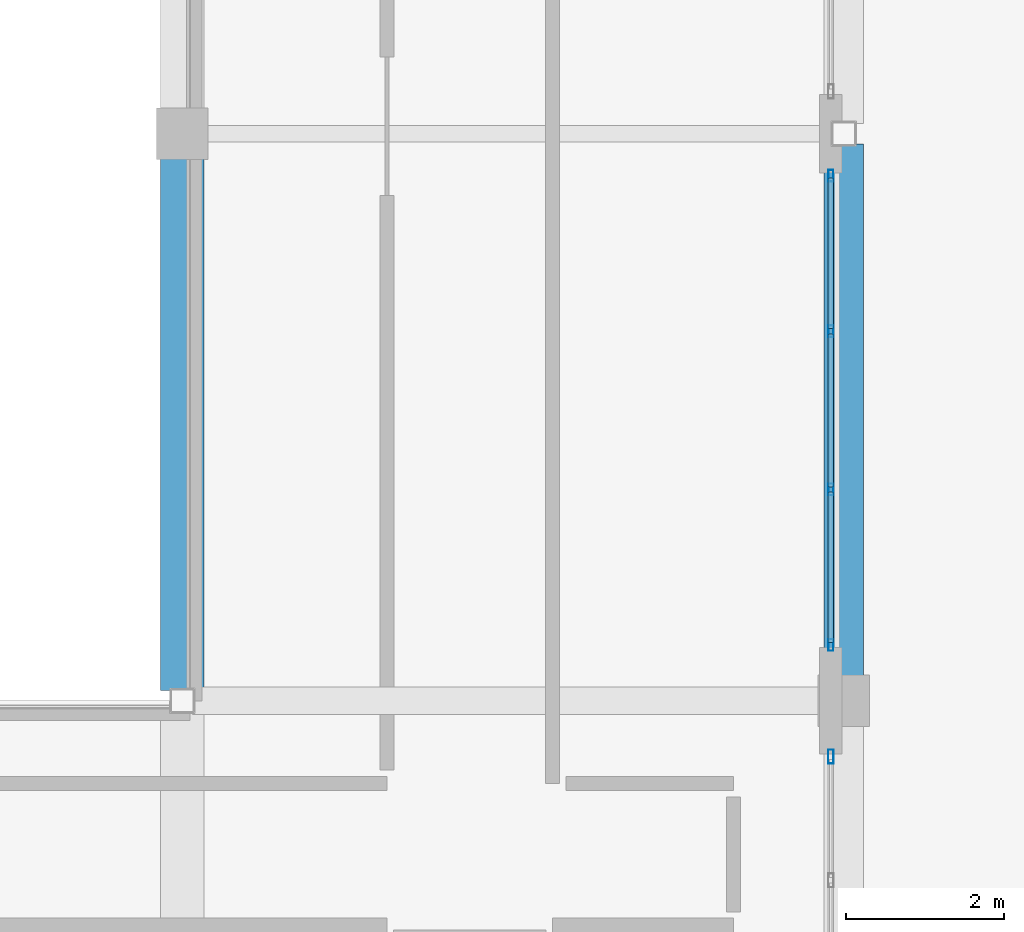
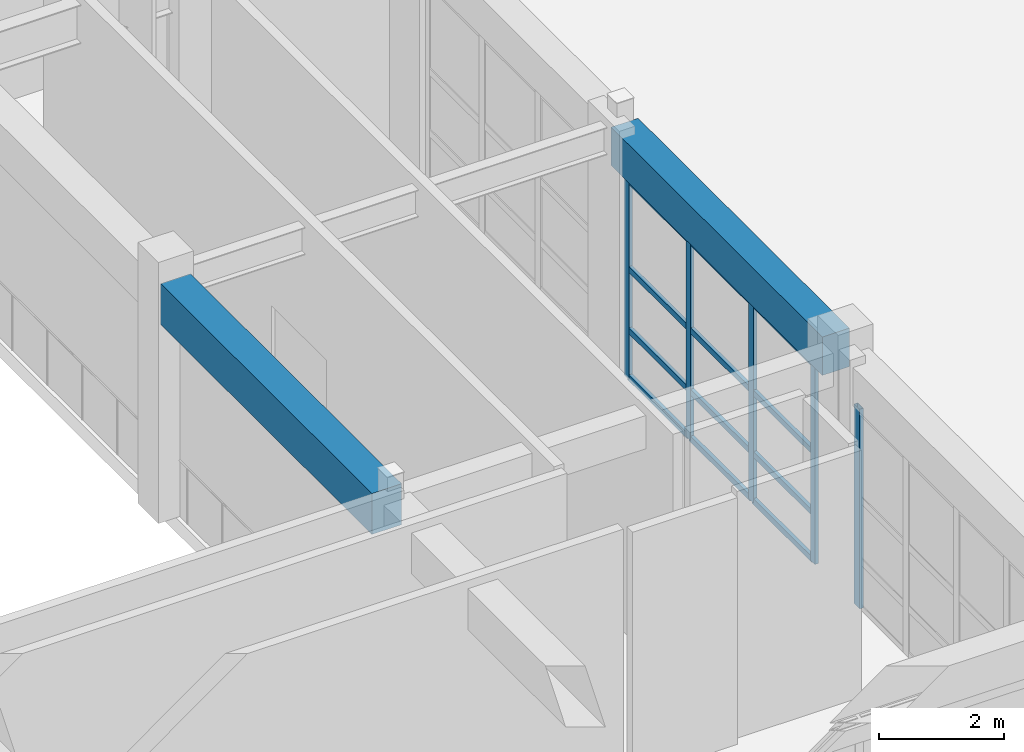
# One storey, part 40 of 78: 17 members, 2 beams, 2 elements without a shape of their own.
"""IFC4 building model written with IfcOpenShell, lengths in metres."""

import ifcopenshell
import ifcopenshell.guid

model = None  # the IFC model being written
_history = None  # IfcOwnerHistory: only IFC2X3 demands one
_inside = {}  # id of a spatial element -> (the spatial element, [elements in it])
_under = {}  # id of a project, library or spatial element -> (it, [spatial elements below it])
_declared = {}  # id of a project -> (the project, [libraries it declares])
_typed = {}  # id of a type object -> (the type object, [elements of that type])
_made_of = {}  # id of a material, layer set ... -> (it, [elements and type objects made of it])


def new_model(schema):
    """Start an empty IFC model of exactly this schema.

    Asked for "IFC4X3", IfcOpenShell would pick the latest addendum, in which some entities
    have other attributes; the version numbers below select the first issue.
    IFC2X3 requires an IfcOwnerHistory on every rooted entity: one is made here for all.
    """
    global model, _history
    if schema == "IFC4X3":
        model = ifcopenshell.file(schema_version=(4, 3, 0, 0))
    else:
        model = ifcopenshell.file(schema=schema)
    _inside.clear()
    _under.clear()
    _declared.clear()
    _typed.clear()
    _made_of.clear()
    _history = None
    if model.schema == "IFC2X3":
        org = make("IfcOrganization", Name="unknown")
        user = make(
            "IfcPersonAndOrganization",
            ThePerson=make("IfcPerson", FamilyName="unknown"),
            TheOrganization=org,
        )
        app = make(
            "IfcApplication",
            ApplicationDeveloper=org,
            Version="unknown",
            ApplicationFullName="unknown",
            ApplicationIdentifier="unknown",
        )
        _history = make(
            "IfcOwnerHistory",
            OwningUser=user,
            OwningApplication=app,
            ChangeAction="ADDED",
            CreationDate=0,
        )
    return model


def make(cls, **values):
    """One entity of the class cls with the attributes given. An attribute that is None is left unset."""
    return model.create_entity(
        cls, **{name: value for name, value in values.items() if value is not None}
    )


def rooted(cls, **values):
    """An entity with a GlobalId (a new one), such as an element, a storey or a relation."""
    return make(cls, GlobalId=ifcopenshell.guid.new(), OwnerHistory=_history, **values)


def si_unit(unit_type, name, prefix=None):
    """IfcSIUnit, for example si_unit("LENGTHUNIT", "METRE", prefix="MILLI")."""
    return make("IfcSIUnit", UnitType=unit_type, Prefix=prefix, Name=name)


def assignment(units):
    """IfcUnitAssignment: the units of a project."""
    return None if units is None else make("IfcUnitAssignment", Units=units)


def point(xyz):
    """IfcCartesianPoint."""
    return None if xyz is None else make("IfcCartesianPoint", Coordinates=xyz)


def direction(xyz):
    """IfcDirection."""
    return None if xyz is None else make("IfcDirection", DirectionRatios=xyz)


def frame(location, z_axis=None, x_axis=None):
    """IfcAxis2Placement3D, a coordinate frame: its origin and axes. An axis left out is left unset."""
    return make(
        "IfcAxis2Placement3D",
        Location=point(location),
        Axis=direction(z_axis),
        RefDirection=direction(x_axis),
    )


def frame_2d(location, x_axis=None):
    """IfcAxis2Placement2D, a coordinate frame in the plane: its origin and x axis."""
    return make(
        "IfcAxis2Placement2D", Location=point(location), RefDirection=direction(x_axis)
    )


def origin():
    """The frame at (0, 0, 0) with its axes left unset."""
    return frame((0.0, 0.0, 0.0))


def origin_2d():
    """The frame at (0, 0) in the plane with its x axis left unset."""
    return frame_2d((0.0, 0.0))


def place(relative_to, where):
    """IfcLocalPlacement: puts the frame where relative to a parent placement (None: the world)."""
    return make(
        "IfcLocalPlacement", PlacementRelTo=relative_to, RelativePlacement=where
    )


def context(
    kind, dimensions, precision=None, world=None, true_north=None, identifier=None
):
    """IfcGeometricRepresentationContext, for example the 3D "Model" context."""
    return make(
        "IfcGeometricRepresentationContext",
        ContextIdentifier=identifier,
        ContextType=kind,
        CoordinateSpaceDimension=dimensions,
        Precision=precision,
        WorldCoordinateSystem=world,
        TrueNorth=true_north,
    )


def subcontext(parent, identifier, kind, view, scale=None):
    """IfcGeometricRepresentationSubContext, for example "Body" below "Model"."""
    return make(
        "IfcGeometricRepresentationSubContext",
        ContextIdentifier=identifier,
        ContextType=kind,
        ParentContext=parent,
        TargetScale=scale,
        TargetView=view,
    )


def project(units=None, contexts=None):
    """IfcProject with its units and contexts."""
    return rooted(
        "IfcProject",
        Name="project",
        RepresentationContexts=contexts,
        UnitsInContext=assignment(units),
    )


def spatial(cls, under=None, at=None, **own):
    """A site, building, storey or space (cls), placed at a placement, below another one or the project."""
    s = rooted(cls, ObjectPlacement=at, **own)
    if under is not None:
        _under.setdefault(under.id(), (under, []))[1].append(s)
    return s


def profile(cls, at=None, kind="AREA", **sizes):
    """A parametric profile (cls). Its sizes go by their IFC names, for example OverallWidth=200.0."""
    return make(cls, ProfileType=kind, Position=at, **sizes)


def rectangle(**sizes):
    """IfcRectangleProfileDef."""
    return profile("IfcRectangleProfileDef", **sizes)


def hollow_rectangle(**sizes):
    """IfcRectangleHollowProfileDef."""
    return profile("IfcRectangleHollowProfileDef", **sizes)


def extrude(swept, where, along, depth):
    """IfcExtrudedAreaSolid: the profile swept, set in the frame where, extruded along a direction by depth."""
    return make(
        "IfcExtrudedAreaSolid",
        SweptArea=swept,
        Position=where,
        ExtrudedDirection=direction(along),
        Depth=depth,
    )


def shape(context_of_items, identifier, shape_type, items):
    """IfcShapeRepresentation: the items that make up one representation, for example the "Body"."""
    return make(
        "IfcShapeRepresentation",
        ContextOfItems=context_of_items,
        RepresentationIdentifier=identifier,
        RepresentationType=shape_type,
        Items=items,
    )


def material(Name=None, Category=None):
    """IfcMaterial."""
    return make("IfcMaterial", Name=Name, Category=Category)


def layer(
    of_material, thickness, ventilated=None, Name=None, Category=None, Priority=None
):
    """IfcMaterialLayer: one layer of a wall or slab, of a material (None: an air gap)."""
    return make(
        "IfcMaterialLayer",
        Material=of_material,
        LayerThickness=thickness,
        IsVentilated=ventilated,
        Name=Name,
        Category=Category,
        Priority=Priority,
    )


def layer_set(layers, Name=None):
    """IfcMaterialLayerSet."""
    return make("IfcMaterialLayerSet", MaterialLayers=layers, LayerSetName=Name)


def material_profile(
    of_material, cross_section, Name=None, Category=None, Priority=None
):
    """IfcMaterialProfile: a cross section and its material."""
    return make(
        "IfcMaterialProfile",
        Name=Name,
        Material=of_material,
        Profile=cross_section,
        Priority=Priority,
        Category=Category,
    )


def profile_set(profiles, Name=None, composite=None):
    """IfcMaterialProfileSet."""
    return make(
        "IfcMaterialProfileSet",
        Name=Name,
        MaterialProfiles=profiles,
        CompositeProfile=composite,
    )


def made_of(thing, what):
    """Note that an element or type object is made of a material, layer set ...; save() writes the relation."""
    if what is not None:
        _made_of.setdefault(what.id(), (what, []))[1].append(thing)
    return thing


def type_object(cls, material=None, **own):
    """A type object (cls), such as IfcWallType, which elements share."""
    return made_of(rooted(cls, **own), material)


def element(
    cls,
    number,
    at=None,
    inside=None,
    cuts=None,
    type_object=None,
    material=None,
    context=None,
    identifier="Body",
    shape_type=None,
    held_by="IfcProductDefinitionShape",
    body=None,
    shapes=None,
    **own,
):
    """One element of the class cls, such as IfcWall. Its Tag is "e" and its number.

    at: its placement. inside: the storey or other place that contains it. cuts: it is an
    opening in that element (IfcRelVoidsElement). A single representation is given by context,
    identifier, shape_type and body (its items); several are given by shapes. held_by: the class
    of the entity that holds the representations. save() writes the other relations.
    """
    e = rooted(cls, Tag="e%d" % number, ObjectPlacement=at, **own)
    if body is not None:
        shapes = [shape(context, identifier, shape_type, body)]
    if shapes is not None:
        e.Representation = make(held_by, Representations=shapes)
    if inside is not None:
        _inside.setdefault(inside.id(), (inside, []))[1].append(e)
    if cuts is not None:
        rooted(
            "IfcRelVoidsElement", RelatingBuildingElement=cuts, RelatedOpeningElement=e
        )
    if type_object is not None:
        _typed.setdefault(type_object.id(), (type_object, []))[1].append(e)
    return made_of(e, material)


def aggregate(whole, parts):
    """IfcRelAggregates: a whole, such as a stair, and the parts it consists of."""
    return rooted("IfcRelAggregates", RelatingObject=whole, RelatedObjects=parts)


def save(model, path):
    """Write the relations noted so far, then the file.

    IfcRelAggregates (storeys below a building ...), IfcRelContainedInSpatialStructure (elements
    in a storey), IfcRelDefinesByType, IfcRelAssociatesMaterial and IfcRelDeclares: one each for
    every whole, place, type object, material and project.
    """
    for whole, parts in _under.values():
        aggregate(whole, parts)
    for where, things in _inside.values():
        rooted(
            "IfcRelContainedInSpatialStructure",
            RelatedElements=things,
            RelatingStructure=where,
        )
    for kind, things in _typed.values():
        rooted("IfcRelDefinesByType", RelatedObjects=things, RelatingType=kind)
    for what, things in _made_of.values():
        rooted("IfcRelAssociatesMaterial", RelatedObjects=things, RelatingMaterial=what)
    for by, libraries in _declared.values():
        rooted("IfcRelDeclares", RelatingContext=by, RelatedDefinitions=libraries)
    model.write(path)


model = new_model("IFC4")

# Units and contexts
model_context = context("Model", 3, precision=1e-05, world=origin(), true_north=direction((0.0, 1.0)))
body_context = subcontext(model_context, "Body", "Model", "MODEL_VIEW")
ifc_project = project(units=[si_unit("LENGTHUNIT", "METRE"), si_unit("AREAUNIT", "SQUARE_METRE"), si_unit("VOLUMEUNIT", "CUBIC_METRE"), si_unit("PLANEANGLEUNIT", "RADIAN"), si_unit("MASSUNIT", "GRAM", prefix="KILO")], contexts=[model_context])

# Site, building, storey
site_placement = place(None, origin())
site = spatial("IfcSite", under=ifc_project, at=site_placement, CompositionType="ELEMENT")
building_placement = place(site_placement, origin())
building = spatial("IfcBuilding", under=site, at=building_placement, Name="Quendrovan Civic Courthouse", CompositionType="ELEMENT")
storey_placement = place(building_placement, frame((0.0, 0.0, 10.199951171875)))
storey = spatial("IfcBuildingStorey", under=building, at=storey_placement, Name="L03", CompositionType="ELEMENT", Elevation=10.199951171875)

# Beams
ifc_material_1 = material(Name="Concrete C40/50", Category="concrete")
ifc_material_profile_1 = material_profile(ifc_material_1, rectangle(XDim=0.5, YDim=0.75, at=origin_2d()), Name="RC-BM-500x750")
ifc_profile_set_1 = profile_set([ifc_material_profile_1], Name="Concrete C40/50")
beam_type_1 = type_object("IfcBeamType", Name="BM-RC750", PredefinedType="SPANDREL", material=ifc_profile_set_1)
beam_1_placement = place(storey_placement, frame((92.39990234375, 73.5048828125, 4.28515625), z_axis=(0.0, 1.0, 0.0), x_axis=(-1.0, 0.0, 0.0)))
element("IfcBeam", 1, at=beam_1_placement, inside=storey, type_object=beam_type_1, Name="L03 Girder Y0856", PredefinedType="SPANDREL", context=body_context, shape_type="SweptSolid", body=[
    extrude(rectangle(XDim=0.5, YDim=0.75, at=origin_2d()), origin(), (0.0, 0.0, 1.0), 6.76513671875),
])
ifc_material_profile_2 = material_profile(ifc_material_1, rectangle(XDim=0.550048828125, YDim=0.800048828125, at=origin_2d()), Name="RC-BM-550x800")
ifc_profile_set_2 = profile_set([ifc_material_profile_2], Name="Concrete C40/50")
beam_type_2 = type_object("IfcBeamType", Name="BM-RC800", PredefinedType="BEAM", material=ifc_profile_set_2)
beam_2_placement = place(storey_placement, frame((84.0, 73.330078125, 4.260009765625), z_axis=(0.0, 1.0, 0.0), x_axis=(-1.0, 0.0, 0.0)))
element("IfcBeam", 2, at=beam_2_placement, inside=storey, type_object=beam_type_2, Name="L03 Girder Y0851", PredefinedType="BEAM", context=body_context, shape_type="SweptSolid", body=[
    extrude(rectangle(XDim=0.550048828125, YDim=0.800048828125, at=origin_2d()), origin(), (0.0, 0.0, 1.0), 6.764892578125),
])

# Curtain wall, member
ifc_material_2 = material(Name="Bronze anodised aluminium and low-E glass", Category="aluminium")
ifc_layer_1 = layer(ifc_material_2, 0.179931640625, Name="Bronze anodised aluminium and low-E glass")
ifc_layer_set_1 = layer_set([ifc_layer_1], Name="Bronze anodised aluminium and low-E glass")
curtain_wall_type_1 = type_object("IfcCurtainWallType", Name="CW-U64x39", PredefinedType="USERDEFINED", material=ifc_layer_set_1)
curtain_wall_1_placement = place(storey_placement, origin())
curtain_wall_1 = element("IfcCurtainWall", 3, at=curtain_wall_1_placement, inside=storey, type_object=curtain_wall_type_1, Name="L03 Unitised Hurricane Curtain Wall CW-130", ObjectType="UNITISED CURTAIN WALL", PredefinedType="USERDEFINED")
ifc_material_3 = material(Name="Bronze anodised aluminium", Category="aluminium")
ifc_material_profile_3 = material_profile(ifc_material_3, hollow_rectangle(XDim=0.070068359375, YDim=0.179931640625, WallThickness=0.00390625, at=origin_2d()), Name="CW-MULL-70x180")
ifc_profile_set_3 = profile_set([ifc_material_profile_3], Name="Bronze anodised aluminium")
member_type_1 = type_object("IfcMemberType", Name="CW-MULL-A", PredefinedType="MULLION", material=ifc_profile_set_3)
member_1_placement = place(storey_placement, frame((92.235107421875, 72.489990234375, 0.0), z_axis=(0.0, 0.0, 1.0), x_axis=(1.0, 0.0, 0.0)))
member_1 = element("IfcMember", 4, at=member_1_placement, type_object=member_type_1, Name="CW-130 mullion 1", PredefinedType="MULLION", context=body_context, shape_type="SweptSolid", body=[
    extrude(hollow_rectangle(XDim=0.070068359375, YDim=0.179931640625, WallThickness=0.00390625, at=origin_2d()), origin(), (0.0, 0.0, 1.0), 3.900146484375),
])
aggregate(curtain_wall_1, [member_1])

# Curtain wall, members
ifc_layer_2 = layer(ifc_material_2, 0.179931640625, Name="Bronze anodised aluminium and low-E glass")
ifc_layer_set_2 = layer_set([ifc_layer_2], Name="Bronze anodised aluminium and low-E glass")
curtain_wall_type_2 = type_object("IfcCurtainWallType", Name="CW-U60x39", PredefinedType="USERDEFINED", material=ifc_layer_set_2)
curtain_wall_2_placement = place(storey_placement, origin())
curtain_wall_2 = element("IfcCurtainWall", 5, at=curtain_wall_2_placement, inside=storey, type_object=curtain_wall_type_2, Name="L03 Unitised Hurricane Curtain Wall CW-129", ObjectType="UNITISED CURTAIN WALL", PredefinedType="USERDEFINED")
ifc_material_profile_4 = material_profile(ifc_material_3, hollow_rectangle(XDim=0.06494140625, YDim=0.14990234375, WallThickness=0.00390625, at=origin_2d()), Name="CW-MULL-65x150")
ifc_profile_set_4 = profile_set([ifc_material_profile_4], Name="Bronze anodised aluminium")
member_type_2 = type_object("IfcMemberType", Name="CW-MULL-B", PredefinedType="MULLION", material=ifc_profile_set_4)
member_2_placement = place(storey_placement, frame((92.235107421875, 79.867431640625, 0.0), z_axis=(0.0, 0.0, 1.0), x_axis=(1.0, 0.0, 0.0)))
member_2 = element("IfcMember", 6, at=member_2_placement, type_object=member_type_2, Name="CW-129 mullion 1", PredefinedType="MULLION", context=body_context, shape_type="SweptSolid", body=[
    extrude(hollow_rectangle(XDim=0.06494140625, YDim=0.14990234375, WallThickness=0.00390625, at=origin_2d()), origin(), (0.0, 0.0, 1.0), 3.900146484375),
])
member_3_placement = place(storey_placement, frame((92.235107421875, 77.8916015625, 0.0), z_axis=(0.0, 0.0, 1.0), x_axis=(1.0, 0.0, 0.0)))
member_3 = element("IfcMember", 7, at=member_3_placement, type_object=member_type_2, Name="CW-129 mullion 2", PredefinedType="MULLION", context=body_context, shape_type="SweptSolid", body=[
    extrude(hollow_rectangle(XDim=0.06494140625, YDim=0.14990234375, WallThickness=0.00390625, at=origin_2d()), origin(), (0.0, 0.0, 1.0), 3.900146484375),
])
member_4_placement = place(storey_placement, frame((92.235107421875, 75.88330078125, 0.0), z_axis=(0.0, 0.0, 1.0), x_axis=(1.0, 0.0, 0.0)))
member_4 = element("IfcMember", 8, at=member_4_placement, type_object=member_type_2, Name="CW-129 mullion 3", PredefinedType="MULLION", context=body_context, shape_type="SweptSolid", body=[
    extrude(hollow_rectangle(XDim=0.06494140625, YDim=0.14990234375, WallThickness=0.00390625, at=origin_2d()), origin(), (0.0, 0.0, 1.0), 3.900146484375),
])
member_5_placement = place(storey_placement, frame((92.235107421875, 73.907470703125, 0.0), z_axis=(0.0, 0.0, 1.0), x_axis=(1.0, 0.0, 0.0)))
member_5 = element("IfcMember", 9, at=member_5_placement, type_object=member_type_2, Name="CW-129 mullion 4", PredefinedType="MULLION", context=body_context, shape_type="SweptSolid", body=[
    extrude(hollow_rectangle(XDim=0.06494140625, YDim=0.14990234375, WallThickness=0.00390625, at=origin_2d()), origin(), (0.0, 0.0, 1.0), 3.900146484375),
])
ifc_material_profile_5 = material_profile(ifc_material_3, hollow_rectangle(XDim=0.06494140625, YDim=0.114990234375, WallThickness=0.00390625, at=origin_2d()), Name="CW-TRAN-65x115")
ifc_profile_set_5 = profile_set([ifc_material_profile_5], Name="Bronze anodised aluminium")
member_type_3 = type_object("IfcMemberType", Name="CW-TRAN-B", PredefinedType="USERDEFINED", material=ifc_profile_set_5)
member_6_placement = place(storey_placement, frame((92.235107421875, 79.8349609375, 0.032470703125), z_axis=(0.0, -1.0, 0.0), x_axis=(1.0, 0.0, 0.0)))
member_6 = element("IfcMember", 10, at=member_6_placement, type_object=member_type_3, Name="CW-129 transom 1.1", ObjectType="TRANSOM", PredefinedType="USERDEFINED", context=body_context, shape_type="SweptSolid", body=[
    extrude(hollow_rectangle(XDim=0.06494140625, YDim=0.114990234375, WallThickness=0.00390625, at=origin_2d()), origin(), (0.0, 0.0, 1.0), 1.910888671875),
])
member_7_placement = place(storey_placement, frame((92.235107421875, 79.8349609375, 0.949951171875), z_axis=(0.0, -1.0, 0.0), x_axis=(1.0, 0.0, 0.0)))
member_7 = element("IfcMember", 11, at=member_7_placement, type_object=member_type_3, Name="CW-129 transom 1.2", ObjectType="TRANSOM", PredefinedType="USERDEFINED", context=body_context, shape_type="SweptSolid", body=[
    extrude(hollow_rectangle(XDim=0.06494140625, YDim=0.114990234375, WallThickness=0.00390625, at=origin_2d()), origin(), (0.0, 0.0, 1.0), 1.910888671875),
])
member_8_placement = place(storey_placement, frame((92.235107421875, 79.8349609375, 2.150146484375), z_axis=(0.0, -1.0, 0.0), x_axis=(1.0, 0.0, 0.0)))
member_8 = element("IfcMember", 12, at=member_8_placement, type_object=member_type_3, Name="CW-129 transom 1.3", ObjectType="TRANSOM", PredefinedType="USERDEFINED", context=body_context, shape_type="SweptSolid", body=[
    extrude(hollow_rectangle(XDim=0.06494140625, YDim=0.114990234375, WallThickness=0.00390625, at=origin_2d()), origin(), (0.0, 0.0, 1.0), 1.910888671875),
])
member_9_placement = place(storey_placement, frame((92.235107421875, 79.8349609375, 3.867431640625), z_axis=(0.0, -1.0, 0.0), x_axis=(1.0, 0.0, 0.0)))
member_9 = element("IfcMember", 13, at=member_9_placement, type_object=member_type_3, Name="CW-129 transom 1.4", ObjectType="TRANSOM", PredefinedType="USERDEFINED", context=body_context, shape_type="SweptSolid", body=[
    extrude(hollow_rectangle(XDim=0.06494140625, YDim=0.114990234375, WallThickness=0.00390625, at=origin_2d()), origin(), (0.0, 0.0, 1.0), 1.910888671875),
])
member_10_placement = place(storey_placement, frame((92.235107421875, 77.859130859375, 0.032470703125), z_axis=(0.0, -1.0, 0.0), x_axis=(1.0, 0.0, 0.0)))
member_10 = element("IfcMember", 14, at=member_10_placement, type_object=member_type_3, Name="CW-129 transom 2.1", ObjectType="TRANSOM", PredefinedType="USERDEFINED", context=body_context, shape_type="SweptSolid", body=[
    extrude(hollow_rectangle(XDim=0.06494140625, YDim=0.114990234375, WallThickness=0.00390625, at=origin_2d()), origin(), (0.0, 0.0, 1.0), 1.943359375),
])
member_11_placement = place(storey_placement, frame((92.235107421875, 77.859130859375, 0.949951171875), z_axis=(0.0, -1.0, 0.0), x_axis=(1.0, 0.0, 0.0)))
member_11 = element("IfcMember", 15, at=member_11_placement, type_object=member_type_3, Name="CW-129 transom 2.2", ObjectType="TRANSOM", PredefinedType="USERDEFINED", context=body_context, shape_type="SweptSolid", body=[
    extrude(hollow_rectangle(XDim=0.06494140625, YDim=0.114990234375, WallThickness=0.00390625, at=origin_2d()), origin(), (0.0, 0.0, 1.0), 1.943359375),
])
member_12_placement = place(storey_placement, frame((92.235107421875, 77.859130859375, 2.150146484375), z_axis=(0.0, -1.0, 0.0), x_axis=(1.0, 0.0, 0.0)))
member_12 = element("IfcMember", 16, at=member_12_placement, type_object=member_type_3, Name="CW-129 transom 2.3", ObjectType="TRANSOM", PredefinedType="USERDEFINED", context=body_context, shape_type="SweptSolid", body=[
    extrude(hollow_rectangle(XDim=0.06494140625, YDim=0.114990234375, WallThickness=0.00390625, at=origin_2d()), origin(), (0.0, 0.0, 1.0), 1.943359375),
])
member_13_placement = place(storey_placement, frame((92.235107421875, 77.859130859375, 3.867431640625), z_axis=(0.0, -1.0, 0.0), x_axis=(1.0, 0.0, 0.0)))
member_13 = element("IfcMember", 17, at=member_13_placement, type_object=member_type_3, Name="CW-129 transom 2.4", ObjectType="TRANSOM", PredefinedType="USERDEFINED", context=body_context, shape_type="SweptSolid", body=[
    extrude(hollow_rectangle(XDim=0.06494140625, YDim=0.114990234375, WallThickness=0.00390625, at=origin_2d()), origin(), (0.0, 0.0, 1.0), 1.943359375),
])
member_14_placement = place(storey_placement, frame((92.235107421875, 75.850830078125, 0.032470703125), z_axis=(0.0, -1.0, 0.0), x_axis=(1.0, 0.0, 0.0)))
member_14 = element("IfcMember", 18, at=member_14_placement, type_object=member_type_3, Name="CW-129 transom 3.1", ObjectType="TRANSOM", PredefinedType="USERDEFINED", context=body_context, shape_type="SweptSolid", body=[
    extrude(hollow_rectangle(XDim=0.06494140625, YDim=0.114990234375, WallThickness=0.00390625, at=origin_2d()), origin(), (0.0, 0.0, 1.0), 1.910888671875),
])
member_15_placement = place(storey_placement, frame((92.235107421875, 75.850830078125, 0.949951171875), z_axis=(0.0, -1.0, 0.0), x_axis=(1.0, 0.0, 0.0)))
member_15 = element("IfcMember", 19, at=member_15_placement, type_object=member_type_3, Name="CW-129 transom 3.2", ObjectType="TRANSOM", PredefinedType="USERDEFINED", context=body_context, shape_type="SweptSolid", body=[
    extrude(hollow_rectangle(XDim=0.06494140625, YDim=0.114990234375, WallThickness=0.00390625, at=origin_2d()), origin(), (0.0, 0.0, 1.0), 1.910888671875),
])
member_16_placement = place(storey_placement, frame((92.235107421875, 75.850830078125, 2.150146484375), z_axis=(0.0, -1.0, 0.0), x_axis=(1.0, 0.0, 0.0)))
member_16 = element("IfcMember", 20, at=member_16_placement, type_object=member_type_3, Name="CW-129 transom 3.3", ObjectType="TRANSOM", PredefinedType="USERDEFINED", context=body_context, shape_type="SweptSolid", body=[
    extrude(hollow_rectangle(XDim=0.06494140625, YDim=0.114990234375, WallThickness=0.00390625, at=origin_2d()), origin(), (0.0, 0.0, 1.0), 1.910888671875),
])
member_17_placement = place(storey_placement, frame((92.235107421875, 75.850830078125, 3.867431640625), z_axis=(0.0, -1.0, 0.0), x_axis=(1.0, 0.0, 0.0)))
member_17 = element("IfcMember", 21, at=member_17_placement, type_object=member_type_3, Name="CW-129 transom 3.4", ObjectType="TRANSOM", PredefinedType="USERDEFINED", context=body_context, shape_type="SweptSolid", body=[
    extrude(hollow_rectangle(XDim=0.06494140625, YDim=0.114990234375, WallThickness=0.00390625, at=origin_2d()), origin(), (0.0, 0.0, 1.0), 1.910888671875),
])
aggregate(curtain_wall_2, [member_2, member_3, member_4, member_5, member_6, member_7, member_8, member_9, member_10, member_11, member_12, member_13, member_14, member_15, member_16, member_17])

save(model, "model.ifc")
